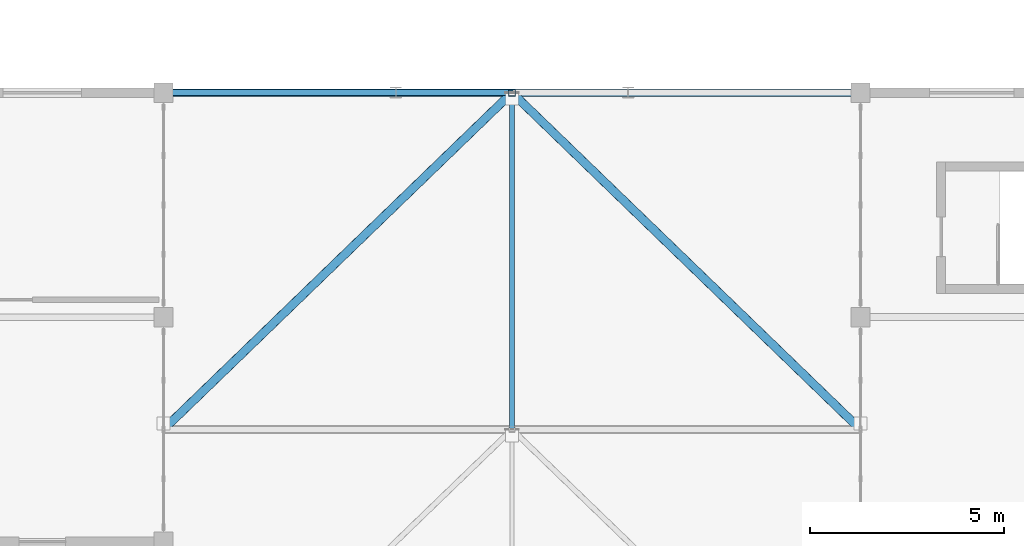
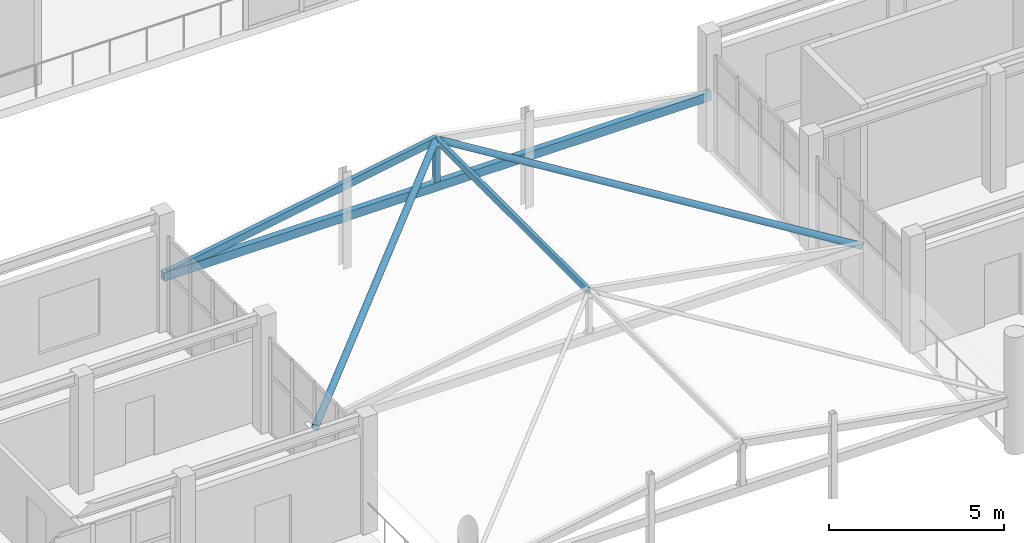
# One storey, part 19 of 128: 6 members.
"""IFC4 building model written with IfcOpenShell, lengths in metres."""

import ifcopenshell
import ifcopenshell.guid

model = None  # the IFC model being written
_history = None  # IfcOwnerHistory: only IFC2X3 demands one
_inside = {}  # id of a spatial element -> (the spatial element, [elements in it])
_under = {}  # id of a project, library or spatial element -> (it, [spatial elements below it])
_declared = {}  # id of a project -> (the project, [libraries it declares])
_typed = {}  # id of a type object -> (the type object, [elements of that type])
_made_of = {}  # id of a material, layer set ... -> (it, [elements and type objects made of it])


def new_model(schema):
    """Start an empty IFC model of exactly this schema.

    Asked for "IFC4X3", IfcOpenShell would pick the latest addendum, in which some entities
    have other attributes; the version numbers below select the first issue.
    IFC2X3 requires an IfcOwnerHistory on every rooted entity: one is made here for all.
    """
    global model, _history
    if schema == "IFC4X3":
        model = ifcopenshell.file(schema_version=(4, 3, 0, 0))
    else:
        model = ifcopenshell.file(schema=schema)
    _inside.clear()
    _under.clear()
    _declared.clear()
    _typed.clear()
    _made_of.clear()
    _history = None
    if model.schema == "IFC2X3":
        org = make("IfcOrganization", Name="unknown")
        user = make(
            "IfcPersonAndOrganization",
            ThePerson=make("IfcPerson", FamilyName="unknown"),
            TheOrganization=org,
        )
        app = make(
            "IfcApplication",
            ApplicationDeveloper=org,
            Version="unknown",
            ApplicationFullName="unknown",
            ApplicationIdentifier="unknown",
        )
        _history = make(
            "IfcOwnerHistory",
            OwningUser=user,
            OwningApplication=app,
            ChangeAction="ADDED",
            CreationDate=0,
        )
    return model


def make(cls, **values):
    """One entity of the class cls with the attributes given. An attribute that is None is left unset."""
    return model.create_entity(
        cls, **{name: value for name, value in values.items() if value is not None}
    )


def rooted(cls, **values):
    """An entity with a GlobalId (a new one), such as an element, a storey or a relation."""
    return make(cls, GlobalId=ifcopenshell.guid.new(), OwnerHistory=_history, **values)


def si_unit(unit_type, name, prefix=None):
    """IfcSIUnit, for example si_unit("LENGTHUNIT", "METRE", prefix="MILLI")."""
    return make("IfcSIUnit", UnitType=unit_type, Prefix=prefix, Name=name)


def assignment(units):
    """IfcUnitAssignment: the units of a project."""
    return None if units is None else make("IfcUnitAssignment", Units=units)


def point(xyz):
    """IfcCartesianPoint."""
    return None if xyz is None else make("IfcCartesianPoint", Coordinates=xyz)


def direction(xyz):
    """IfcDirection."""
    return None if xyz is None else make("IfcDirection", DirectionRatios=xyz)


def frame(location, z_axis=None, x_axis=None):
    """IfcAxis2Placement3D, a coordinate frame: its origin and axes. An axis left out is left unset."""
    return make(
        "IfcAxis2Placement3D",
        Location=point(location),
        Axis=direction(z_axis),
        RefDirection=direction(x_axis),
    )


def frame_2d(location, x_axis=None):
    """IfcAxis2Placement2D, a coordinate frame in the plane: its origin and x axis."""
    return make(
        "IfcAxis2Placement2D", Location=point(location), RefDirection=direction(x_axis)
    )


def origin():
    """The frame at (0, 0, 0) with its axes left unset."""
    return frame((0.0, 0.0, 0.0))


def origin_2d():
    """The frame at (0, 0) in the plane with its x axis left unset."""
    return frame_2d((0.0, 0.0))


def place(relative_to, where):
    """IfcLocalPlacement: puts the frame where relative to a parent placement (None: the world)."""
    return make(
        "IfcLocalPlacement", PlacementRelTo=relative_to, RelativePlacement=where
    )


def context(
    kind, dimensions, precision=None, world=None, true_north=None, identifier=None
):
    """IfcGeometricRepresentationContext, for example the 3D "Model" context."""
    return make(
        "IfcGeometricRepresentationContext",
        ContextIdentifier=identifier,
        ContextType=kind,
        CoordinateSpaceDimension=dimensions,
        Precision=precision,
        WorldCoordinateSystem=world,
        TrueNorth=true_north,
    )


def subcontext(parent, identifier, kind, view, scale=None):
    """IfcGeometricRepresentationSubContext, for example "Body" below "Model"."""
    return make(
        "IfcGeometricRepresentationSubContext",
        ContextIdentifier=identifier,
        ContextType=kind,
        ParentContext=parent,
        TargetScale=scale,
        TargetView=view,
    )


def project(units=None, contexts=None):
    """IfcProject with its units and contexts."""
    return rooted(
        "IfcProject",
        Name="project",
        RepresentationContexts=contexts,
        UnitsInContext=assignment(units),
    )


def spatial(cls, under=None, at=None, **own):
    """A site, building, storey or space (cls), placed at a placement, below another one or the project."""
    s = rooted(cls, ObjectPlacement=at, **own)
    if under is not None:
        _under.setdefault(under.id(), (under, []))[1].append(s)
    return s


def profile(cls, at=None, kind="AREA", **sizes):
    """A parametric profile (cls). Its sizes go by their IFC names, for example OverallWidth=200.0."""
    return make(cls, ProfileType=kind, Position=at, **sizes)


def hollow_rectangle(**sizes):
    """IfcRectangleHollowProfileDef."""
    return profile("IfcRectangleHollowProfileDef", **sizes)


def hollow_circle(**sizes):
    """IfcCircleHollowProfileDef."""
    return profile("IfcCircleHollowProfileDef", **sizes)


def extrude(swept, where, along, depth):
    """IfcExtrudedAreaSolid: the profile swept, set in the frame where, extruded along a direction by depth."""
    return make(
        "IfcExtrudedAreaSolid",
        SweptArea=swept,
        Position=where,
        ExtrudedDirection=direction(along),
        Depth=depth,
    )


def shape(context_of_items, identifier, shape_type, items):
    """IfcShapeRepresentation: the items that make up one representation, for example the "Body"."""
    return make(
        "IfcShapeRepresentation",
        ContextOfItems=context_of_items,
        RepresentationIdentifier=identifier,
        RepresentationType=shape_type,
        Items=items,
    )


def material(Name=None, Category=None):
    """IfcMaterial."""
    return make("IfcMaterial", Name=Name, Category=Category)


def material_profile(
    of_material, cross_section, Name=None, Category=None, Priority=None
):
    """IfcMaterialProfile: a cross section and its material."""
    return make(
        "IfcMaterialProfile",
        Name=Name,
        Material=of_material,
        Profile=cross_section,
        Priority=Priority,
        Category=Category,
    )


def profile_set(profiles, Name=None, composite=None):
    """IfcMaterialProfileSet."""
    return make(
        "IfcMaterialProfileSet",
        Name=Name,
        MaterialProfiles=profiles,
        CompositeProfile=composite,
    )


def made_of(thing, what):
    """Note that an element or type object is made of a material, layer set ...; save() writes the relation."""
    if what is not None:
        _made_of.setdefault(what.id(), (what, []))[1].append(thing)
    return thing


def type_object(cls, material=None, **own):
    """A type object (cls), such as IfcWallType, which elements share."""
    return made_of(rooted(cls, **own), material)


def element(
    cls,
    number,
    at=None,
    inside=None,
    cuts=None,
    type_object=None,
    material=None,
    context=None,
    identifier="Body",
    shape_type=None,
    held_by="IfcProductDefinitionShape",
    body=None,
    shapes=None,
    **own,
):
    """One element of the class cls, such as IfcWall. Its Tag is "e" and its number.

    at: its placement. inside: the storey or other place that contains it. cuts: it is an
    opening in that element (IfcRelVoidsElement). A single representation is given by context,
    identifier, shape_type and body (its items); several are given by shapes. held_by: the class
    of the entity that holds the representations. save() writes the other relations.
    """
    e = rooted(cls, Tag="e%d" % number, ObjectPlacement=at, **own)
    if body is not None:
        shapes = [shape(context, identifier, shape_type, body)]
    if shapes is not None:
        e.Representation = make(held_by, Representations=shapes)
    if inside is not None:
        _inside.setdefault(inside.id(), (inside, []))[1].append(e)
    if cuts is not None:
        rooted(
            "IfcRelVoidsElement", RelatingBuildingElement=cuts, RelatedOpeningElement=e
        )
    if type_object is not None:
        _typed.setdefault(type_object.id(), (type_object, []))[1].append(e)
    return made_of(e, material)


def aggregate(whole, parts):
    """IfcRelAggregates: a whole, such as a stair, and the parts it consists of."""
    return rooted("IfcRelAggregates", RelatingObject=whole, RelatedObjects=parts)


def save(model, path):
    """Write the relations noted so far, then the file.

    IfcRelAggregates (storeys below a building ...), IfcRelContainedInSpatialStructure (elements
    in a storey), IfcRelDefinesByType, IfcRelAssociatesMaterial and IfcRelDeclares: one each for
    every whole, place, type object, material and project.
    """
    for whole, parts in _under.values():
        aggregate(whole, parts)
    for where, things in _inside.values():
        rooted(
            "IfcRelContainedInSpatialStructure",
            RelatedElements=things,
            RelatingStructure=where,
        )
    for kind, things in _typed.values():
        rooted("IfcRelDefinesByType", RelatedObjects=things, RelatingType=kind)
    for what, things in _made_of.values():
        rooted("IfcRelAssociatesMaterial", RelatedObjects=things, RelatingMaterial=what)
    for by, libraries in _declared.values():
        rooted("IfcRelDeclares", RelatingContext=by, RelatedDefinitions=libraries)
    model.write(path)


model = new_model("IFC4")

# Units and contexts
model_context = context("Model", 3, precision=1e-05, world=origin(), true_north=direction((0.0, 1.0)))
body_context = subcontext(model_context, "Body", "Model", "MODEL_VIEW")
ifc_project = project(units=[si_unit("LENGTHUNIT", "METRE"), si_unit("AREAUNIT", "SQUARE_METRE"), si_unit("VOLUMEUNIT", "CUBIC_METRE"), si_unit("PLANEANGLEUNIT", "RADIAN"), si_unit("MASSUNIT", "GRAM", prefix="KILO")], contexts=[model_context])

# Site, building, storey
site_placement = place(None, origin())
site = spatial("IfcSite", under=ifc_project, at=site_placement, CompositionType="ELEMENT")
building_placement = place(site_placement, origin())
building = spatial("IfcBuilding", under=site, at=building_placement, Name="Tanwirah Colonnade Gardens", CompositionType="ELEMENT")
storey_placement = place(building_placement, frame((0.0, 0.0, 4.760009765625)))
storey = spatial("IfcBuildingStorey", under=building, at=storey_placement, Name="L01", CompositionType="ELEMENT", Elevation=4.760009765625)

# Members
ifc_material = material(Name="Steel S355", Category="steel")
ifc_material_profile_1 = material_profile(ifc_material, hollow_circle(Radius=0.109619140625, WallThickness=0.010009765625, at=origin_2d()), Name="CHS 219.1x10")
ifc_profile_set_1 = profile_set([ifc_material_profile_1], Name="Steel S355")
member_type_1 = type_object("IfcMemberType", Name="BRC-CHS114", PredefinedType="BRACE", material=ifc_profile_set_1)
for number, where, z_axis, x_axis, name in (
    (1, (84.0, 19.5, 1.77001953125), (0.713188918614, 0.689412085362, 0.126777533194), (-0.695020080363, 0.718990325312, 0.0), "Canopy Wind Brace W-2"),
    (2, (102.0, 19.5, 1.77001953125), (-0.713188918614, 0.689412085362, 0.126777533194), (-0.695020080363, -0.718990325312, 0.0), "Canopy Wind Brace E-2"),
):
    element("IfcMember", number, at=place(storey_placement, frame(where, z_axis=z_axis, x_axis=x_axis)), inside=storey, type_object=member_type_1, Name=name, PredefinedType="BRACE", context=body_context, shape_type="SweptSolid", body=[
        extrude(hollow_circle(Radius=0.109619140625, WallThickness=0.010009765625, at=origin_2d()), origin(), (0.0, 0.0, 1.0), 12.619384765625),
    ])
ifc_material_profile_2 = material_profile(ifc_material, hollow_rectangle(XDim=0.199951171875, YDim=0.300048828125, WallThickness=0.010009765625, at=origin_2d()), Name="RHS 300x200x10")
ifc_profile_set_2 = profile_set([ifc_material_profile_2], Name="Steel S355")
member_type_2 = type_object("IfcMemberType", Name="CHD-RHS300", PredefinedType="CHORD", material=ifc_profile_set_2)
member_1_placement = place(storey_placement, frame((84.0, 28.199951171875, 1.77001953125), z_axis=(1.0, 0.0, 0.0), x_axis=(0.0, 1.0, 0.0)))
element("IfcMember", 3, at=member_1_placement, inside=storey, type_object=member_type_2, Name="Canopy Tie Chord 2", PredefinedType="CHORD", context=body_context, shape_type="SweptSolid", body=[
    extrude(hollow_rectangle(XDim=0.199951171875, YDim=0.300048828125, WallThickness=0.010009765625, at=origin_2d()), origin(), (0.0, 0.0, 1.0), 18.0),
])
ifc_material_profile_3 = material_profile(ifc_material, hollow_rectangle(XDim=0.1201171875, YDim=0.219970703125, WallThickness=0.008056640625, at=origin_2d()), Name="RHS 220x120x8")
ifc_profile_set_3 = profile_set([ifc_material_profile_3], Name="Steel S355")
member_type_3 = type_object("IfcMemberType", Name="PRL-RHS180", PredefinedType="PURLIN", material=ifc_profile_set_3)
member_2_placement = place(storey_placement, frame((93.0, 19.5, 3.369873046875), z_axis=(0.0, 1.0, 0.0), x_axis=(-1.0, 0.0, 0.0)))
element("IfcMember", 4, at=member_2_placement, inside=storey, type_object=member_type_3, Name="Canopy Ridge Purlin 2", PredefinedType="PURLIN", context=body_context, shape_type="SweptSolid", body=[
    extrude(hollow_rectangle(XDim=0.1201171875, YDim=0.219970703125, WallThickness=0.008056640625, at=origin_2d()), origin(), (0.0, 0.0, 1.0), 8.699951171875),
])
ifc_material_profile_4 = material_profile(ifc_material, hollow_rectangle(XDim=0.14990234375, YDim=0.25, WallThickness=0.010009765625, at=origin_2d()), Name="RHS 250x150x10")
ifc_profile_set_4 = profile_set([ifc_material_profile_4], Name="Steel S355")
member_type_4 = type_object("IfcMemberType", Name="RFT-RHS250", PredefinedType="RAFTER", material=ifc_profile_set_4)
member_3_placement = place(storey_placement, frame((84.0, 28.199951171875, 1.77001953125), z_axis=(0.984565269242, 0.0, 0.175017800818), x_axis=(0.0, 1.0, 0.0)))
element("IfcMember", 5, at=member_3_placement, inside=storey, type_object=member_type_4, Name="Canopy West Rafter 2", PredefinedType="RAFTER", context=body_context, shape_type="SweptSolid", body=[
    extrude(hollow_rectangle(XDim=0.14990234375, YDim=0.25, WallThickness=0.010009765625, at=origin_2d()), origin(), (0.0, 0.0, 1.0), 9.14111328125),
])
ifc_material_profile_5 = material_profile(ifc_material, hollow_rectangle(XDim=0.179931640625, YDim=0.179931640625, WallThickness=0.010009765625, at=origin_2d()), Name="SHS 180x180x10")
ifc_profile_set_5 = profile_set([ifc_material_profile_5], Name="Steel S355")
member_type_5 = type_object("IfcMemberType", Name="STR-SHS180", PredefinedType="STRUT", material=ifc_profile_set_5)
member_4_placement = place(storey_placement, frame((93.0, 28.199951171875, 1.77001953125), z_axis=(0.0, 0.0, 1.0), x_axis=(1.0, 0.0, 0.0)))
element("IfcMember", 6, at=member_4_placement, inside=storey, type_object=member_type_5, Name="Canopy King-Post Strut 2", PredefinedType="STRUT", context=body_context, shape_type="SweptSolid", body=[
    extrude(hollow_rectangle(XDim=0.179931640625, YDim=0.179931640625, WallThickness=0.010009765625, at=origin_2d()), origin(), (0.0, 0.0, 1.0), 1.599853515625),
])

save(model, "model.ifc")
